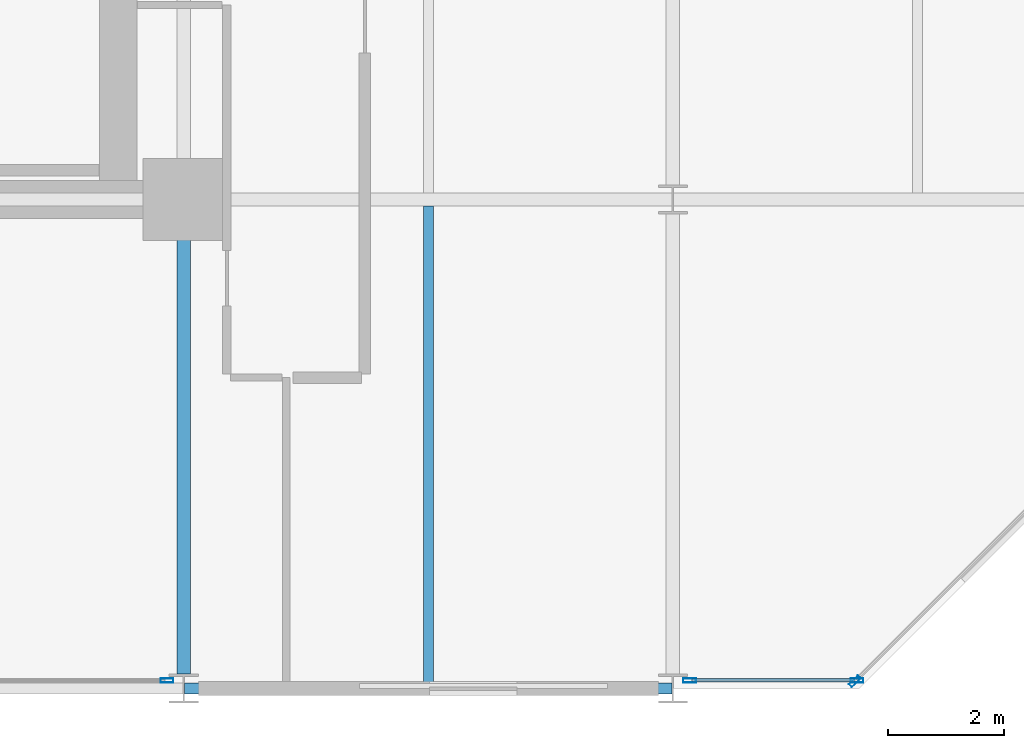
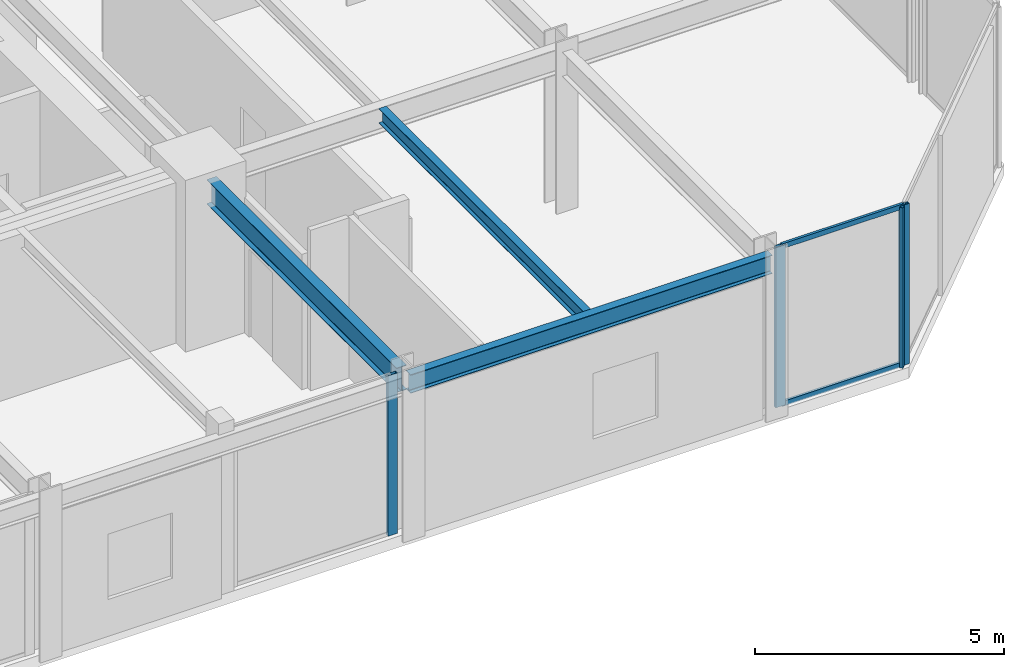
# One storey, part 9 of 24: 6 members, 3 beams, 3 elements without a shape of their own.
"""IFC4 building model written with IfcOpenShell, lengths in metres."""

from ifc_helpers import new_model, si_unit, direction, frame, origin, origin_2d, place, context, subcontext, project, spatial, hollow_rectangle, i_section, extrude, material, layer, layer_set, material_profile, profile_set, type_object, element, aggregate, save


model = new_model("IFC4")

# Units and contexts
model_context = context("Model", 3, precision=1e-05, world=origin(), true_north=direction((0.0, 1.0)))
body_context = subcontext(model_context, "Body", "Model", "MODEL_VIEW")
ifc_project = project(units=[si_unit("LENGTHUNIT", "METRE"), si_unit("AREAUNIT", "SQUARE_METRE"), si_unit("VOLUMEUNIT", "CUBIC_METRE"), si_unit("PLANEANGLEUNIT", "RADIAN"), si_unit("MASSUNIT", "GRAM", prefix="KILO")], contexts=[model_context])

# Site, building, storey
site_placement = place(None, origin())
site = spatial("IfcSite", under=ifc_project, at=site_placement, CompositionType="ELEMENT")
building_placement = place(site_placement, origin())
building = spatial("IfcBuilding", under=site, at=building_placement, Name="Nerrivon Quay Data Exchange", CompositionType="ELEMENT")
storey_placement = place(building_placement, frame((0.0, 0.0, 33.199951171875)))
storey = spatial("IfcBuildingStorey", under=building, at=storey_placement, Name="L07", CompositionType="ELEMENT", Elevation=33.199951171875)

# Beams
ifc_material_1 = material(Name="Steel Grade 350", Category="steel")
ifc_material_profile_1 = material_profile(ifc_material_1, i_section(OverallWidth=0.22802734375, OverallDepth=0.60205078125, WebThickness=0.010498046875, FlangeThickness=0.014892578125, FilletRadius=0.013916015625, at=origin_2d()), Name="610UB101")
ifc_profile_set_1 = profile_set([ifc_material_profile_1], Name="Steel Grade 350")
beam_type_1 = type_object("IfcBeamType", Name="BM-G2-610UB101", PredefinedType="BEAM", material=ifc_profile_set_1)
beam_1_placement = place(storey_placement, frame((33.60009765625, 0.25, 3.6240234375), z_axis=(0.0, 1.0, 0.0), x_axis=(-1.0, 0.0, 0.0)))
element("IfcBeam", 1, at=beam_1_placement, inside=storey, type_object=beam_type_1, Name="L07 NS Girder X=33.6 (0.0..8.4)", PredefinedType="BEAM", context=body_context, shape_type="SweptSolid", body=[
    extrude(i_section(OverallWidth=0.22802734375, OverallDepth=0.60205078125, WebThickness=0.010498046875, FlangeThickness=0.014892578125, FilletRadius=0.013916015625, at=origin_2d()), origin(), (0.0, 0.0, 1.0), 7.610107421875),
])
ifc_material_profile_2 = material_profile(ifc_material_1, i_section(OverallWidth=0.172119140625, OverallDepth=0.35888671875, WebThickness=0.008056640625, FlangeThickness=0.012939453125, FilletRadius=0.011474609375, at=origin_2d()), Name="360UB56.7")
ifc_profile_set_2 = profile_set([ifc_material_profile_2], Name="Steel Grade 350")
beam_type_2 = type_object("IfcBeamType", Name="BM-J3-360UB57", PredefinedType="JOIST", material=ifc_profile_set_2)
beam_2_placement = place(storey_placement, frame((37.800048828125, 0.094970703125, 3.74560546875), z_axis=(0.0, 1.0, 0.0), x_axis=(-1.0, 0.0, 0.0)))
element("IfcBeam", 2, at=beam_2_placement, inside=storey, type_object=beam_type_2, Name="L07 Secondary Joist X=37.8 (0.0..8.4)", PredefinedType="JOIST", context=body_context, shape_type="SweptSolid", body=[
    extrude(i_section(OverallWidth=0.172119140625, OverallDepth=0.35888671875, WebThickness=0.008056640625, FlangeThickness=0.012939453125, FilletRadius=0.011474609375, at=origin_2d()), origin(), (0.0, 0.0, 1.0), 8.1904296875),
])
ifc_material_profile_3 = material_profile(ifc_material_1, i_section(OverallWidth=0.18994140625, OverallDepth=0.4541015625, WebThickness=0.008544921875, FlangeThickness=0.0126953125, FilletRadius=0.011474609375, at=origin_2d()), Name="460UB67.1")
ifc_profile_set_3 = profile_set([ifc_material_profile_3], Name="Steel Grade 350")
beam_type_3 = type_object("IfcBeamType", Name="BM-SP1-460UB67", PredefinedType="SPANDREL", material=ifc_profile_set_3)
beam_3_placement = place(storey_placement, frame((33.614013671875, 0.0, 3.697998046875), z_axis=(1.0, 0.0, 0.0), x_axis=(0.0, 1.0, 0.0)))
element("IfcBeam", 3, at=beam_3_placement, inside=storey, type_object=beam_type_3, Name="L07 EW Girder Y=0.0 (33.6..42.0)", PredefinedType="SPANDREL", context=body_context, shape_type="SweptSolid", body=[
    extrude(i_section(OverallWidth=0.18994140625, OverallDepth=0.4541015625, WebThickness=0.008544921875, FlangeThickness=0.0126953125, FilletRadius=0.011474609375, at=origin_2d()), origin(), (0.0, 0.0, 1.0), 8.3720703125),
])

# Curtain wall, member
ifc_material_2 = material(Name="Anodised aluminium 6063-T6", Category="aluminium")
ifc_layer = layer(ifc_material_2, 0.219970703125)
ifc_layer_set = layer_set([ifc_layer], Name="Anodised aluminium 6063-T6")
curtain_wall_type = type_object("IfcCurtainWallType", Name="CW-SYS-01", PredefinedType="NOTDEFINED", material=ifc_layer_set)
curtain_wall_1_placement = place(storey_placement, origin())
curtain_wall_1 = element("IfcCurtainWall", 4, at=curtain_wall_1_placement, inside=storey, type_object=curtain_wall_type, Name="L07 Unitised Curtain Wall 1", PredefinedType="NOTDEFINED")
ifc_material_profile_4 = material_profile(ifc_material_2, hollow_rectangle(XDim=0.074951171875, YDim=0.219970703125, WallThickness=0.00390625, at=origin_2d()), Name="ALU-MULL-220x75")
ifc_profile_set_4 = profile_set([ifc_material_profile_4], Name="Anodised aluminium 6063-T6")
member_type_1 = type_object("IfcMemberType", Name="CWM-220x75", PredefinedType="MULLION", material=ifc_profile_set_4)
member_1_placement = place(storey_placement, frame((45.12744140625, 0.12548828125, 0.0), z_axis=(0.0, 0.0, 1.0), x_axis=(0.707106781187, -0.707106781187, 0.0)))
member_1 = element("IfcMember", 5, at=member_1_placement, type_object=member_type_1, Name="CW01 mullion 2", PredefinedType="MULLION", context=body_context, shape_type="SweptSolid", body=[
    extrude(hollow_rectangle(XDim=0.074951171875, YDim=0.219970703125, WallThickness=0.00390625, at=origin_2d()), origin(), (0.0, 0.0, 1.0), 3.925048828125),
])
aggregate(curtain_wall_1, [member_1])

# Curtain wall, members
curtain_wall_2_placement = place(storey_placement, origin())
curtain_wall_2 = element("IfcCurtainWall", 6, at=curtain_wall_2_placement, inside=storey, type_object=curtain_wall_type, Name="L07 Unitised Curtain Wall 2", PredefinedType="NOTDEFINED")
member_2_placement = place(storey_placement, frame((45.16259765625, 0.139892578125, 0.0), z_axis=(0.0, 0.0, 1.0), x_axis=(0.0, -1.0, 0.0)))
member_2 = element("IfcMember", 7, at=member_2_placement, type_object=member_type_1, Name="CW01 mullion 1", PredefinedType="MULLION", context=body_context, shape_type="SweptSolid", body=[
    extrude(hollow_rectangle(XDim=0.074951171875, YDim=0.219970703125, WallThickness=0.00390625, at=origin_2d()), origin(), (0.0, 0.0, 1.0), 3.925048828125),
])
member_3_placement = place(storey_placement, frame((42.28759765625, 0.139892578125, 0.0), z_axis=(0.0, 0.0, 1.0), x_axis=(0.0, -1.0, 0.0)))
member_3 = element("IfcMember", 8, at=member_3_placement, type_object=member_type_1, Name="CW01 mullion 2", PredefinedType="MULLION", context=body_context, shape_type="SweptSolid", body=[
    extrude(hollow_rectangle(XDim=0.074951171875, YDim=0.219970703125, WallThickness=0.00390625, at=origin_2d()), origin(), (0.0, 0.0, 1.0), 3.925048828125),
])

# Curtain wall, member
curtain_wall_3_placement = place(storey_placement, origin())
curtain_wall_3 = element("IfcCurtainWall", 9, at=curtain_wall_3_placement, inside=storey, type_object=curtain_wall_type, Name="L07 Unitised Curtain Wall 4", PredefinedType="NOTDEFINED")
member_4_placement = place(storey_placement, frame((33.3125, 0.139892578125, 0.0), z_axis=(0.0, 0.0, 1.0), x_axis=(0.0, -1.0, 0.0)))
member_4 = element("IfcMember", 10, at=member_4_placement, type_object=member_type_1, Name="CW01 mullion 1", PredefinedType="MULLION", context=body_context, shape_type="SweptSolid", body=[
    extrude(hollow_rectangle(XDim=0.074951171875, YDim=0.219970703125, WallThickness=0.00390625, at=origin_2d()), origin(), (0.0, 0.0, 1.0), 3.925048828125),
])
aggregate(curtain_wall_3, [member_4])

# Member
ifc_material_profile_5 = material_profile(ifc_material_2, hollow_rectangle(XDim=0.06005859375, YDim=0.1201171875, WallThickness=0.003173828125, at=origin_2d()), Name="ALU-TRAN-120x60")
ifc_profile_set_5 = profile_set([ifc_material_profile_5], Name="Anodised aluminium 6063-T6")
member_type_2 = type_object("IfcMemberType", Name="CWT-120x60", PredefinedType="USERDEFINED", material=ifc_profile_set_5)
member_5_placement = place(storey_placement, frame((45.125, 0.139892578125, 0.032470703125), z_axis=(-1.0, 0.0, 0.0), x_axis=(0.0, -1.0, 0.0)))
member_5 = element("IfcMember", 11, at=member_5_placement, type_object=member_type_2, Name="CW01 transom 1.1", ObjectType="TRANSOM", PredefinedType="USERDEFINED", context=body_context, shape_type="SweptSolid", body=[
    extrude(hollow_rectangle(XDim=0.06005859375, YDim=0.1201171875, WallThickness=0.003173828125, at=origin_2d()), origin(), (0.0, 0.0, 1.0), 2.800048828125),
])

member_6_placement = place(storey_placement, frame((45.125, 0.139892578125, 3.892578125), z_axis=(-1.0, 0.0, 0.0), x_axis=(0.0, -1.0, 0.0)))
member_6 = element("IfcMember", 12, at=member_6_placement, type_object=member_type_2, Name="CW01 transom 1.2", ObjectType="TRANSOM", PredefinedType="USERDEFINED", context=body_context, shape_type="SweptSolid", body=[
    extrude(hollow_rectangle(XDim=0.06005859375, YDim=0.1201171875, WallThickness=0.003173828125, at=origin_2d()), origin(), (0.0, 0.0, 1.0), 2.800048828125),
])

aggregate(curtain_wall_2, [member_2, member_3, member_5, member_6])

save(model, "model.ifc")
